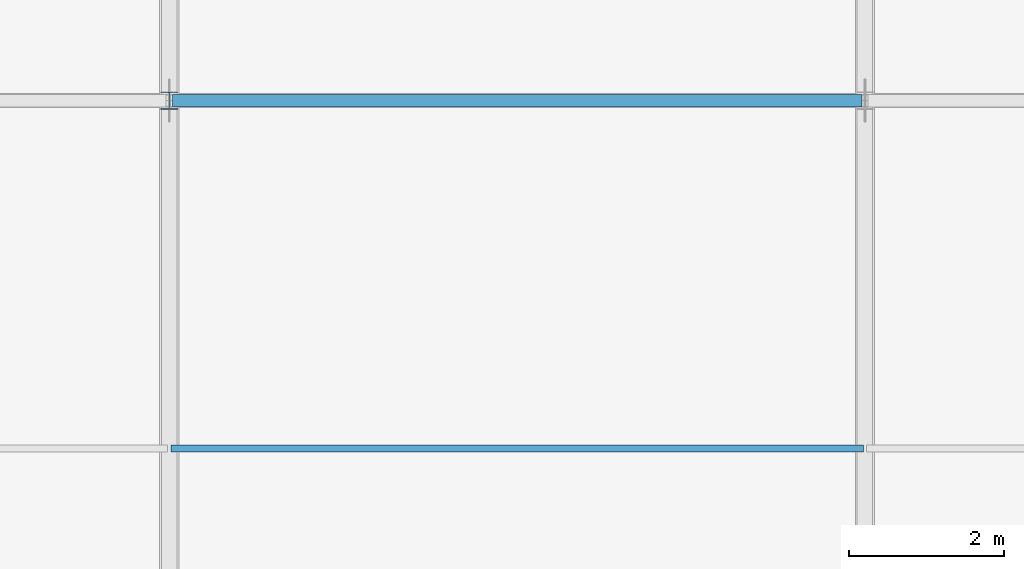
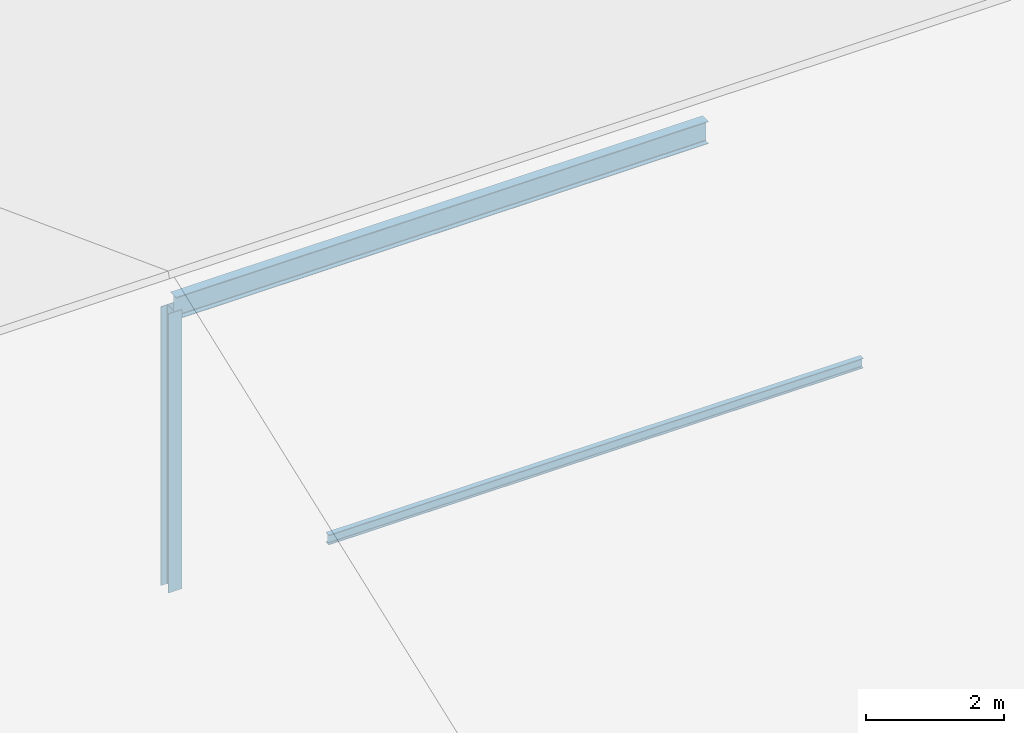
# One storey, part 41 of 163: 3 members.
"""IFC4 building model written with IfcOpenShell, lengths in metres."""

from ifc_helpers import new_model, si_unit, direction, frame, origin, origin_2d, place, context, subcontext, project, spatial, i_section, extrude, material, material_profile, profile_set, type_object, element, save


model = new_model("IFC4")

# Units and contexts
model_context = context("Model", 3, precision=1e-05, world=origin(), true_north=direction((0.0, 1.0)))
body_context = subcontext(model_context, "Body", "Model", "MODEL_VIEW")
ifc_project = project(units=[si_unit("LENGTHUNIT", "METRE"), si_unit("AREAUNIT", "SQUARE_METRE"), si_unit("VOLUMEUNIT", "CUBIC_METRE"), si_unit("PLANEANGLEUNIT", "RADIAN"), si_unit("MASSUNIT", "GRAM", prefix="KILO")], contexts=[model_context])

# Site, building, storey
site_placement = place(None, origin())
site = spatial("IfcSite", under=ifc_project, at=site_placement, CompositionType="ELEMENT")
building_placement = place(site_placement, origin())
building = spatial("IfcBuilding", under=site, at=building_placement, Name="Tharagai Park Tramway Depot", CompositionType="ELEMENT")
storey_placement = place(building_placement, frame((0.0, 0.0, 8.39990234375)))
storey = spatial("IfcBuildingStorey", under=building, at=storey_placement, Name="L02", CompositionType="ELEMENT", Elevation=8.39990234375)

# Members
ifc_material_1 = material(Name="Steel E350", Category="steel")
ifc_material_profile_1 = material_profile(ifc_material_1, i_section(OverallWidth=0.22509765625, OverallDepth=0.22509765625, WebThickness=0.008544921875, FlangeThickness=0.009033203125, FilletRadius=0.010009765625, at=origin_2d()), Name="ISHB 225")
ifc_profile_set_1 = profile_set([ifc_material_profile_1], Name="Steel E350")
member_type_1 = type_object("IfcMemberType", Name="BR-02", PredefinedType="BRACE", material=ifc_profile_set_1)
member_1_placement = place(storey_placement, frame((54.0, 76.5, -0.5), z_axis=(0.0, 0.0, 1.0), x_axis=(1.0, 0.0, 0.0)))
element("IfcMember", 1, at=member_1_placement, inside=storey, type_object=member_type_1, Name="V2B Gable King Strut BR-02", PredefinedType="BRACE", context=body_context, shape_type="SweptSolid", body=[
    extrude(i_section(OverallWidth=0.22509765625, OverallDepth=0.22509765625, WebThickness=0.008544921875, FlangeThickness=0.009033203125, FilletRadius=0.010009765625, at=origin_2d()), origin(), (0.0, 0.0, 1.0), 4.946044921875),
])
ifc_material_2 = material(Name="Steel E250", Category="steel")
ifc_material_profile_2 = material_profile(ifc_material_2, i_section(OverallWidth=0.090087890625, OverallDepth=0.175048828125, WebThickness=0.005615234375, FlangeThickness=0.009033203125, FilletRadius=0.010009765625, at=origin_2d()), Name="ISMB 175")
ifc_profile_set_2 = profile_set([ifc_material_profile_2], Name="Steel E250")
member_type_2 = type_object("IfcMemberType", Name="PR-01", PredefinedType="PURLIN", material=ifc_profile_set_2)
member_2_placement = place(storey_placement, frame((54.02001953125, 72.0, 3.0810546875), z_axis=(1.0, 0.0, 0.0), x_axis=(0.0, 1.0, 0.0)))
element("IfcMember", 2, at=member_2_placement, inside=storey, type_object=member_type_2, Name="V2B Roof Purlin PR-01", PredefinedType="PURLIN", context=body_context, shape_type="SweptSolid", body=[
    extrude(i_section(OverallWidth=0.090087890625, OverallDepth=0.175048828125, WebThickness=0.005615234375, FlangeThickness=0.009033203125, FilletRadius=0.010009765625, at=origin_2d()), origin(), (0.0, 0.0, 1.0), 8.9599609375),
])
ifc_material_profile_3 = material_profile(ifc_material_1, i_section(OverallWidth=0.1650390625, OverallDepth=0.39990234375, WebThickness=0.008056640625, FlangeThickness=0.012451171875, FilletRadius=0.013916015625, at=origin_2d()), Name="ISLB 400")
ifc_profile_set_3 = profile_set([ifc_material_profile_3], Name="Steel E350")
member_type_3 = type_object("IfcMemberType", Name="TC-04", PredefinedType="CHORD", material=ifc_profile_set_3)
member_3_placement = place(storey_placement, frame((54.0400390625, 76.5, 4.470947265625), z_axis=(1.0, 0.0, 0.0), x_axis=(0.0, 1.0, 0.0)))
element("IfcMember", 3, at=member_3_placement, inside=storey, type_object=member_type_3, Name="V2B Roof Ridge Chord TC-04", PredefinedType="CHORD", context=body_context, shape_type="SweptSolid", body=[
    extrude(i_section(OverallWidth=0.1650390625, OverallDepth=0.39990234375, WebThickness=0.008056640625, FlangeThickness=0.012451171875, FilletRadius=0.013916015625, at=origin_2d()), origin(), (0.0, 0.0, 1.0), 8.919921875),
])

save(model, "model.ifc")
